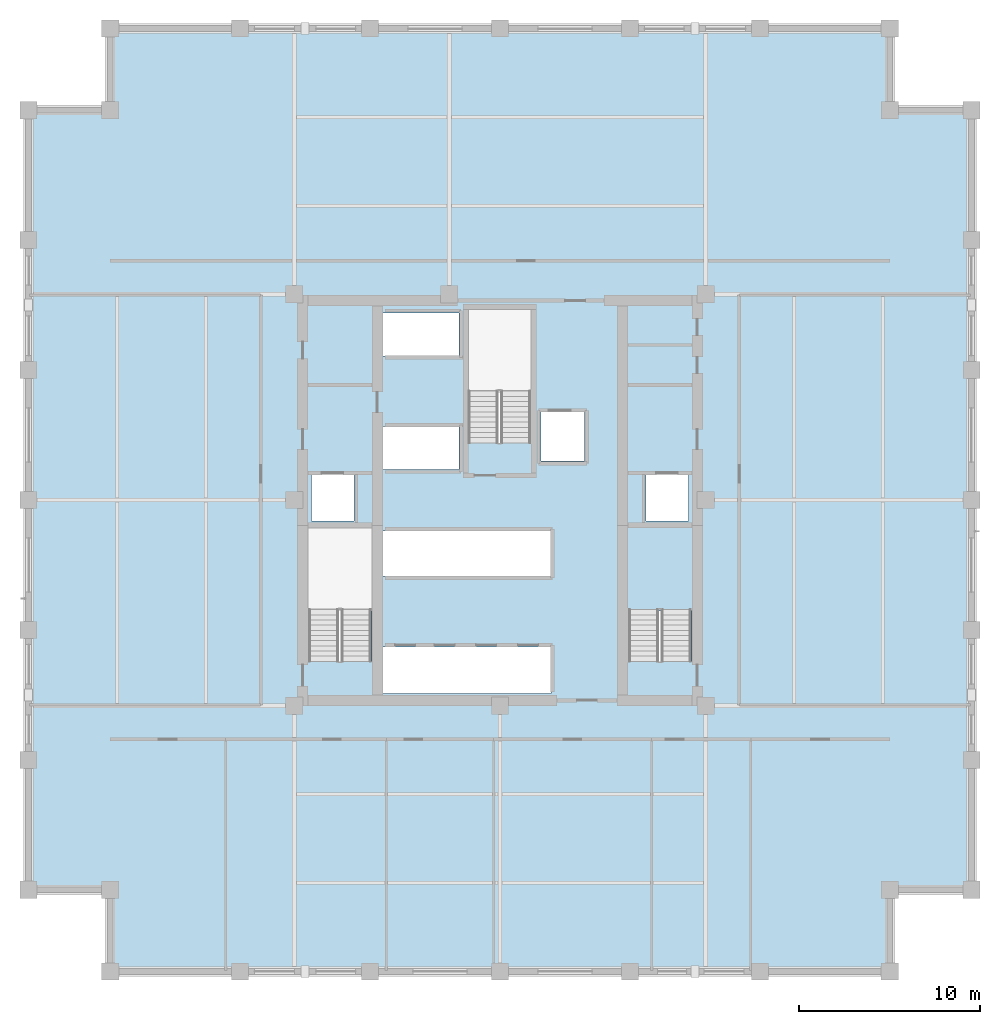
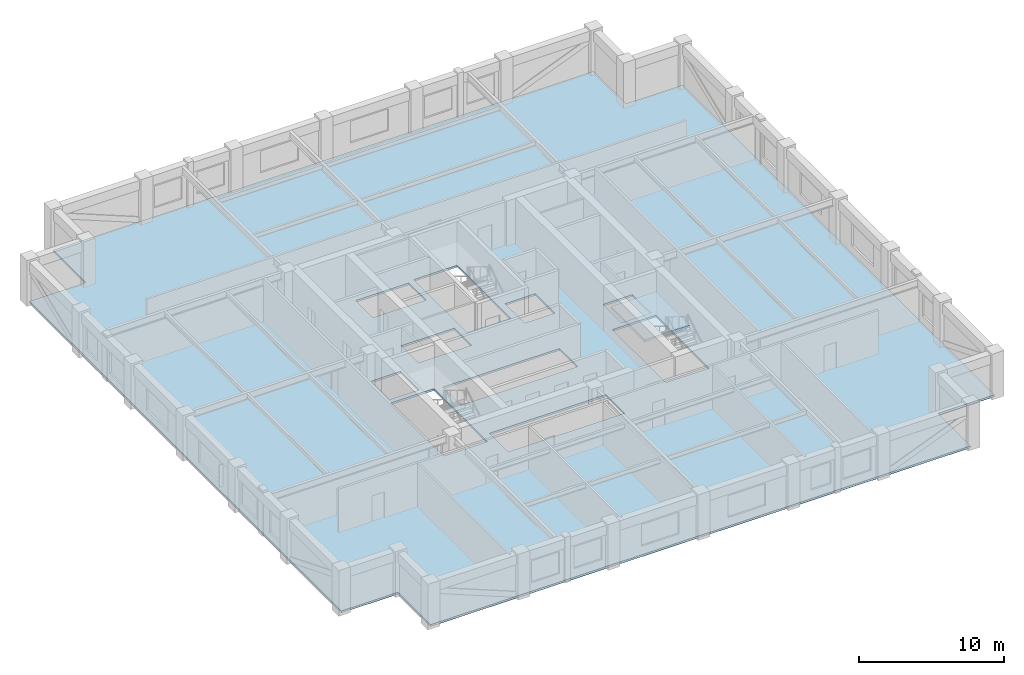
# One storey, part 3 of 9: 2 slabs, 1 element without a shape of its own.
"""IFC4 building model written with IfcOpenShell, lengths in metres."""

from ifc_helpers import new_model, si_unit, direction, frame, origin, place, context, subcontext, project, spatial, polyline, outline, extrude, material, layer, layer_set, type_object, element, aggregate, save


model = new_model("IFC4")

# Units and contexts
model_context = context("Model", 3, precision=1e-05, world=origin(), true_north=direction((0.0, 1.0)))
body_context = subcontext(model_context, "Body", "Model", "MODEL_VIEW")
ifc_project = project(units=[si_unit("LENGTHUNIT", "METRE"), si_unit("AREAUNIT", "SQUARE_METRE"), si_unit("VOLUMEUNIT", "CUBIC_METRE"), si_unit("PLANEANGLEUNIT", "RADIAN"), si_unit("MASSUNIT", "GRAM", prefix="KILO")], contexts=[model_context])

# Site, building, storey
site_placement = place(None, origin())
site = spatial("IfcSite", under=ifc_project, at=site_placement, CompositionType="ELEMENT")
building_placement = place(site_placement, origin())
building = spatial("IfcBuilding", under=site, at=building_placement, Name="Nhamokura Convention Tower", CompositionType="ELEMENT")
storey_placement = place(building_placement, frame((0.0, 0.0, 156.800048828125)))
storey = spatial("IfcBuildingStorey", under=building, at=storey_placement, Name="L38", CompositionType="ELEMENT", Elevation=156.800048828125)

# Slab
ifc_material_1 = material(Name="Concrete C40/50", Category="concrete")
ifc_layer_1 = layer(ifc_material_1, 0.1650390625)
ifc_layer_set_1 = layer_set([ifc_layer_1], Name="OfficeFloorSlab_165")
slab_type_1 = type_object("IfcSlabType", Name="OfficeFloorSlab_165", PredefinedType="FLOOR", material=ifc_layer_set_1)
slab_1_placement = place(storey_placement, frame((0.0, 0.0, -0.1650390625)))
element("IfcSlab", 1, at=slab_1_placement, inside=storey, type_object=slab_type_1, Name="L38 Structural Floor Slab", PredefinedType="FLOOR", context=body_context, shape_type="SweptSolid", body=[
    extrude(outline(polyline([(10.5, 6.0), (53.5, 6.0), (53.5, 10.5), (58.0, 10.5), (58.0, 53.5), (53.5, 53.5), (53.5, 58.0), (10.5, 58.0), (10.5, 53.5), (6.0, 53.5), (6.0, 10.5), (10.5, 10.5), (10.5, 6.0)]), holes=[polyline([(24.89990234375, 23.10009765625), (24.89990234375, 30.449951171875), (21.449951171875, 30.449951171875), (21.449951171875, 23.10009765625), (24.89990234375, 23.10009765625)]), polyline([(42.550048828125, 23.10009765625), (42.550048828125, 30.449951171875), (39.10009765625, 30.449951171875), (39.10009765625, 23.10009765625), (42.550048828125, 23.10009765625)]), polyline([(33.699951171875, 35.14990234375), (33.699951171875, 42.5), (30.25, 42.5), (30.25, 35.14990234375), (33.699951171875, 35.14990234375)]), polyline([(21.60009765625, 30.85009765625), (23.949951171875, 30.85009765625), (23.949951171875, 33.39990234375), (21.60009765625, 33.39990234375), (21.60009765625, 30.85009765625)]), polyline([(40.050048828125, 30.85009765625), (42.39990234375, 30.85009765625), (42.39990234375, 33.39990234375), (40.050048828125, 33.39990234375), (40.050048828125, 30.85009765625)]), polyline([(34.25, 34.14990234375), (36.64990234375, 34.14990234375), (36.64990234375, 36.85009765625), (34.25, 36.85009765625), (34.25, 34.14990234375)]), polyline([(25.52001953125, 21.320068359375), (34.800048828125, 21.320068359375), (34.800048828125, 23.89990234375), (25.52001953125, 23.89990234375), (25.52001953125, 21.320068359375)]), polyline([(25.52001953125, 27.800048828125), (34.800048828125, 27.800048828125), (34.800048828125, 30.300048828125), (25.52001953125, 30.300048828125), (25.52001953125, 27.800048828125)]), polyline([(25.52001953125, 33.679931640625), (29.75, 33.679931640625), (29.75, 36.050048828125), (25.52001953125, 36.050048828125), (25.52001953125, 33.679931640625)]), polyline([(25.52001953125, 39.949951171875), (29.75, 39.949951171875), (29.75, 42.320068359375), (25.52001953125, 42.320068359375), (25.52001953125, 39.949951171875)])]), origin(), (0.0, 0.0, 1.0), 0.1650390625),
])

# Stair, slab
ifc_material_2 = material(Name="Concrete C40/50", Category="concrete")
stair_type = type_object("IfcStairType", Name="TowerCoreStair_1650", PredefinedType="HALF_TURN_STAIR", material=ifc_material_2)
stair_placement = place(storey_placement, origin())
stair = element("IfcStair", 2, at=stair_placement, inside=storey, type_object=stair_type, Name="L38 East Core Smokeproof Stair ST-02", PredefinedType="HALF_TURN_STAIR")
ifc_material_3 = material(Name="Concrete C40/50", Category="concrete")
ifc_layer_2 = layer(ifc_material_3, 0.199951171875)
ifc_layer_set_2 = layer_set([ifc_layer_2], Name="StairLandingSlab_200")
slab_type_2 = type_object("IfcSlabType", Name="StairLandingSlab_200", PredefinedType="LANDING", material=ifc_layer_set_2)
slab_2_placement = place(storey_placement, frame((0.0, 0.0, 1.724853515625)))
slab_2 = element("IfcSlab", 3, at=slab_2_placement, type_object=slab_type_2, Name="ST-02 landing 1", PredefinedType="LANDING", context=body_context, shape_type="SweptSolid", body=[
    extrude(outline(polyline([(42.6298828125, 25.8701171875), (42.6298828125, 30.530029296875), (39.02001953125, 30.530029296875), (39.02001953125, 25.8701171875), (42.6298828125, 25.8701171875)])), origin(), (0.0, 0.0, 1.0), 0.2001953125),
])
aggregate(stair, [slab_2])

save(model, "model.ifc")
